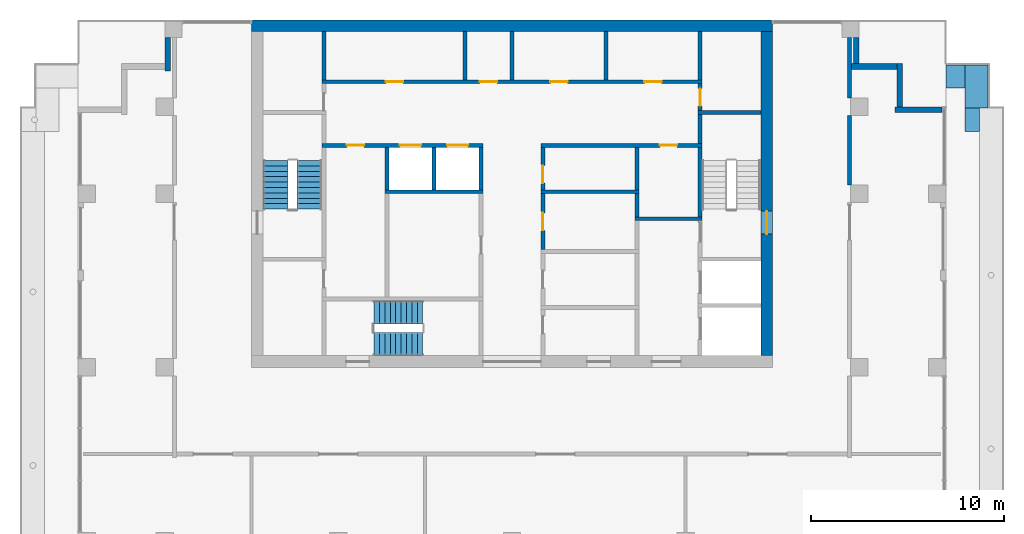
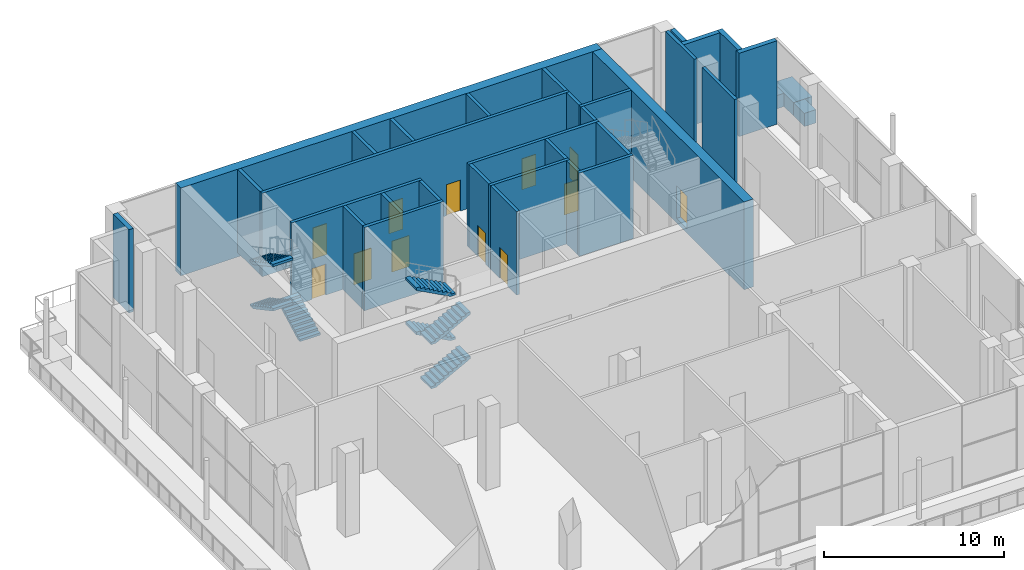
# One storey, part 9 of 13: 34 walls, 12 doors, 7 stair flights, 12 openings, 2 elements without a shape of their own.
"""IFC4 building model written with IfcOpenShell, lengths in metres."""

from ifc_helpers import new_model, si_unit, direction, frame, frame_2d, origin, place, context, subcontext, project, spatial, polyline, rectangle, outline, extrude, material, layer, layer_set, type_object, element, fill, aggregate, save


model = new_model("IFC4")

# Units and contexts
model_context = context("Model", 3, precision=1e-05, world=origin(), true_north=direction((0.0, 1.0)))
body_context = subcontext(model_context, "Body", "Model", "MODEL_VIEW")
ifc_project = project(units=[si_unit("LENGTHUNIT", "METRE"), si_unit("AREAUNIT", "SQUARE_METRE"), si_unit("VOLUMEUNIT", "CUBIC_METRE"), si_unit("PLANEANGLEUNIT", "RADIAN"), si_unit("MASSUNIT", "GRAM", prefix="KILO")], contexts=[model_context])

# Site, building, storey
site_placement = place(None, origin())
site = spatial("IfcSite", under=ifc_project, at=site_placement, CompositionType="ELEMENT")
building_placement = place(site_placement, origin())
building = spatial("IfcBuilding", under=site, at=building_placement, Name="Orbiselva Terraces", CompositionType="ELEMENT")
storey_placement = place(building_placement, frame((0.0, 0.0, 297.4)))
storey = spatial("IfcBuildingStorey", under=building, at=storey_placement, Name="L74", CompositionType="ELEMENT", Elevation=297.4)

# Wall, opening, door
ifc_material_1 = material(Name="Concrete C80/95", Category="concrete")
ifc_layer_1 = layer(ifc_material_1, 0.6)
ifc_layer_set_1 = layer_set([ifc_layer_1], Name="Concrete C80/95")
wall_type_1 = type_object("IfcWallType", Name="CORE WALL 600", PredefinedType="SHEAR", material=ifc_layer_set_1)
wall_1_placement = place(storey_placement, frame((13.2, 5.1, -0.3), z_axis=(0.0, 0.0, 1.0), x_axis=(0.0, 1.0, 0.0)))
wall_1 = element("IfcWall", 1, at=wall_1_placement, inside=storey, type_object=wall_type_1, Name="Core wall L74 east", PredefinedType="SHEAR", context=body_context, shape_type="SweptSolid", body=[
    extrude(rectangle(XDim=16.8, YDim=0.6, at=frame_2d((8.4, 0.0))), origin(), (0.0, 0.0, 1.0), 5.95),
])
opening_1_placement = place(wall_1_placement, frame((6.3, 0.0, 0.3)))
opening_1 = element("IfcOpeningElement", 2, at=opening_1_placement, cuts=wall_1, Name="Opening DS1200", PredefinedType="OPENING", context=body_context, shape_type="SweptSolid", body=[
    extrude(rectangle(XDim=1.2, YDim=2.2, at=frame_2d((0.6, 1.1))), frame((0.0, 0.31, 0.0), z_axis=(0.0, -1.0, 0.0), x_axis=(1.0, 0.0, 0.0)), (0.0, 0.0, 1.0), 0.62),
])
ifc_material_2 = material(Name="Steel fire door", Category="steel")
door_type_1 = type_object("IfcDoorType", Name="STAIR DOOR 1200", OperationType="NOTDEFINED", PredefinedType="DOOR", material=ifc_material_2)
door_1_placement = place(opening_1_placement, frame((1.2, 0.0, 0.0), z_axis=(0.0, 0.0, 1.0), x_axis=(-1.0, 0.0, 0.0)))
door_1 = element("IfcDoor", 3, at=door_1_placement, inside=storey, type_object=door_type_1, Name="L74 EXIT STAIR S2 door", OperationType="SINGLE_SWING_LEFT", OverallHeight=2.2, OverallWidth=1.2, PredefinedType="DOOR", context=body_context, shape_type="SweptSolid", body=[
    extrude(rectangle(XDim=1.2, YDim=2.2, at=frame_2d((0.6, 1.1))), frame((0.0, 0.025, 0.0), z_axis=(0.0, -1.0, 0.0), x_axis=(1.0, 0.0, 0.0)), (0.0, 0.0, 1.0), 0.05),
])
fill(opening_1, door_1)

# Walls
ifc_layer_2 = layer(ifc_material_1, 0.6)
ifc_layer_set_2 = layer_set([ifc_layer_2], Name="Concrete C80/95")
wall_type_2 = type_object("IfcWallType", Name="CORE WALL 600 EXTERNAL", PredefinedType="SHEAR", material=ifc_layer_set_2)
wall_2_placement = place(storey_placement, frame((13.5, 22.2, -0.3), z_axis=(0.0, 0.0, 1.0), x_axis=(-1.0, 0.0, 0.0)))
element("IfcWall", 4, at=wall_2_placement, inside=storey, type_object=wall_type_2, Name="Core wall L74 north", PredefinedType="SHEAR", context=body_context, shape_type="SweptSolid", body=[
    extrude(rectangle(XDim=27.0, YDim=0.6, at=frame_2d((13.5, 0.0))), origin(), (0.0, 0.0, 1.0), 5.95),
])
ifc_material_3 = material(Name="Masonry blockwork", Category="masonry")
ifc_layer_3 = layer(ifc_material_3, 0.2)
ifc_layer_set_3 = layer_set([ifc_layer_3], Name="Masonry blockwork")
wall_type_3 = type_object("IfcWallType", Name="CORE-WALL-PARTITION-200", PredefinedType="PARTITIONING", material=ifc_layer_set_3)
for number, where, z_axis, x_axis, name in (
    (5, (-9.75, 19.4, 0.0), (0.0, 0.0, 1.0), (0.0, 1.0, 0.0), "L74 core wall 11"),
    (6, (-2.4375, 19.4, 0.0), (0.0, 0.0, 1.0), (0.0, 1.0, 0.0), "L74 core wall 16"),
    (7, (0.0, 19.4, 0.0), (0.0, 0.0, 1.0), (0.0, 1.0, 0.0), "L74 core wall 20"),
):
    element("IfcWall", number, at=place(storey_placement, frame(where, z_axis=z_axis, x_axis=x_axis)), inside=storey, type_object=wall_type_3, Name=name, PredefinedType="PARTITIONING", context=body_context, shape_type="SweptSolid", body=[
        extrude(rectangle(XDim=2.5, YDim=0.2, at=frame_2d((1.25, 0.0))), origin(), (0.0, 0.0, 1.0), 5.65),
    ])

# Wall, opening, door
wall_3_placement = place(storey_placement, frame((1.6, 13.5, 0.0), z_axis=(0.0, 0.0, 1.0), x_axis=(0.0, -1.0, 0.0)))
wall_3 = element("IfcWall", 8, at=wall_3_placement, inside=storey, type_object=wall_type_3, Name="L74 core wall 25", PredefinedType="PARTITIONING", context=body_context, shape_type="SweptSolid", body=[
    extrude(rectangle(XDim=2.9, YDim=0.2, at=frame_2d((1.45, 0.0))), origin(), (0.0, 0.0, 1.0), 5.65),
])
opening_2_placement = place(wall_3_placement, frame((1.0, 0.0, 0.0)))
opening_2 = element("IfcOpeningElement", 9, at=opening_2_placement, cuts=wall_3, Name="Opening DR900", PredefinedType="OPENING", context=body_context, shape_type="SweptSolid", body=[
    extrude(rectangle(XDim=0.9, YDim=2.1, at=frame_2d((0.45, 1.05))), frame((0.0, 0.11, 0.0), z_axis=(0.0, -1.0, 0.0), x_axis=(1.0, 0.0, 0.0)), (0.0, 0.0, 1.0), 0.22),
])
door_type_2 = type_object("IfcDoorType", Name="ROOM DOOR 900", OperationType="NOTDEFINED", PredefinedType="DOOR", material=ifc_material_2)
door_2_placement = place(opening_2_placement, origin())
door_2 = element("IfcDoor", 10, at=door_2_placement, inside=storey, type_object=door_type_2, Name="L74 STAFF WC door", OperationType="SINGLE_SWING_LEFT", OverallHeight=2.1, OverallWidth=0.9, PredefinedType="DOOR", context=body_context, shape_type="SweptSolid", body=[
    extrude(rectangle(XDim=0.9, YDim=2.1, at=frame_2d((0.45, 1.05))), frame((0.0, 0.025, 0.0), z_axis=(0.0, -1.0, 0.0), x_axis=(1.0, 0.0, 0.0)), (0.0, 0.0, 1.0), 0.05),
])
fill(opening_2, door_2)

wall_4_placement = place(storey_placement, frame((1.6, 15.9, 0.0), z_axis=(0.0, 0.0, 1.0), x_axis=(0.0, -1.0, 0.0)))
wall_4 = element("IfcWall", 11, at=wall_4_placement, inside=storey, type_object=wall_type_3, Name="L74 core wall 27", PredefinedType="PARTITIONING", context=body_context, shape_type="SweptSolid", body=[
    extrude(rectangle(XDim=2.2, YDim=0.2, at=frame_2d((1.1, 0.0))), origin(), (0.0, 0.0, 1.0), 5.65),
])
opening_3_placement = place(wall_4_placement, frame((0.95, 0.0, 0.0)))
opening_3 = element("IfcOpeningElement", 12, at=opening_3_placement, cuts=wall_4, Name="Opening DR900", PredefinedType="OPENING", context=body_context, shape_type="SweptSolid", body=[
    extrude(rectangle(XDim=0.9, YDim=2.1, at=frame_2d((0.45, 1.05))), frame((0.0, 0.11, 0.0), z_axis=(0.0, -1.0, 0.0), x_axis=(1.0, 0.0, 0.0)), (0.0, 0.0, 1.0), 0.22),
])
door_3_placement = place(opening_3_placement, origin())
door_3 = element("IfcDoor", 13, at=door_3_placement, inside=storey, type_object=door_type_2, Name="L74 DECK STORE door", OperationType="SINGLE_SWING_RIGHT", OverallHeight=2.1, OverallWidth=0.9, PredefinedType="DOOR", context=body_context, shape_type="SweptSolid", body=[
    extrude(rectangle(XDim=0.9, YDim=2.1, at=frame_2d((0.45, 1.05))), frame((0.0, 0.025, 0.0), z_axis=(0.0, -1.0, 0.0), x_axis=(1.0, 0.0, 0.0)), (0.0, 0.0, 1.0), 0.05),
])
fill(opening_3, door_3)

# Walls
wall_5_placement = place(storey_placement, frame((4.875, 19.4, 0.0), z_axis=(0.0, 0.0, 1.0), x_axis=(0.0, 1.0, 0.0)))
element("IfcWall", 14, at=wall_5_placement, inside=storey, type_object=wall_type_3, Name="L74 core wall 29", PredefinedType="PARTITIONING", context=body_context, shape_type="SweptSolid", body=[
    extrude(rectangle(XDim=2.5, YDim=0.2, at=frame_2d((1.25, 0.0))), origin(), (0.0, 0.0, 1.0), 5.65),
])
wall_6_placement = place(storey_placement, frame((6.475, 12.3, 0.0), z_axis=(0.0, 0.0, 1.0), x_axis=(0.0, 1.0, 0.0)))
element("IfcWall", 15, at=wall_6_placement, inside=storey, type_object=wall_type_3, Name="L74 core wall 34", PredefinedType="PARTITIONING", context=body_context, shape_type="SweptSolid", body=[
    extrude(rectangle(XDim=1.2, YDim=0.2, at=frame_2d((0.6, 0.0))), origin(), (0.0, 0.0, 1.0), 5.65),
])
wall_7_placement = place(storey_placement, frame((6.475, 13.7, 0.0), z_axis=(0.0, 0.0, 1.0), x_axis=(0.0, 1.0, 0.0)))
element("IfcWall", 16, at=wall_7_placement, inside=storey, type_object=wall_type_3, Name="L74 core wall 35", PredefinedType="PARTITIONING", context=body_context, shape_type="SweptSolid", body=[
    extrude(rectangle(XDim=2.2, YDim=0.2, at=frame_2d((1.1, 0.0))), origin(), (0.0, 0.0, 1.0), 5.65),
])

# Wall, opening, door
wall_8_placement = place(storey_placement, frame((9.75, 19.2, 0.0), z_axis=(0.0, 0.0, 1.0), x_axis=(0.0, -1.0, 0.0)))
wall_8 = element("IfcWall", 17, at=wall_8_placement, inside=storey, type_object=wall_type_3, Name="L74 core wall 44", PredefinedType="PARTITIONING", context=body_context, shape_type="SweptSolid", body=[
    extrude(rectangle(XDim=1.4, YDim=0.2, at=frame_2d((0.7, 0.0))), origin(), (0.0, 0.0, 1.0), 5.65),
])
opening_4_placement = place(wall_8_placement, frame((0.25, 0.0, 0.0)))
opening_4 = element("IfcOpeningElement", 18, at=opening_4_placement, cuts=wall_8, Name="Opening DR900", PredefinedType="OPENING", context=body_context, shape_type="SweptSolid", body=[
    extrude(rectangle(XDim=0.9, YDim=2.1, at=frame_2d((0.45, 1.05))), frame((0.0, 0.11, 0.0), z_axis=(0.0, -1.0, 0.0), x_axis=(1.0, 0.0, 0.0)), (0.0, 0.0, 1.0), 0.22),
])
door_4_placement = place(opening_4_placement, origin())
door_4 = element("IfcDoor", 19, at=door_4_placement, inside=storey, type_object=door_type_2, Name="L74 ACCESSIBLE WC door", OperationType="SINGLE_SWING_RIGHT", OverallHeight=2.1, OverallWidth=0.9, PredefinedType="DOOR", context=body_context, shape_type="SweptSolid", body=[
    extrude(rectangle(XDim=0.9, YDim=2.1, at=frame_2d((0.45, 1.05))), frame((0.0, 0.025, 0.0), z_axis=(0.0, -1.0, 0.0), x_axis=(1.0, 0.0, 0.0)), (0.0, 0.0, 1.0), 0.05),
])
fill(opening_4, door_4)

# Walls
wall_9_placement = place(storey_placement, frame((9.75, 19.4, 0.0), z_axis=(0.0, 0.0, 1.0), x_axis=(0.0, 1.0, 0.0)))
element("IfcWall", 20, at=wall_9_placement, inside=storey, type_object=wall_type_3, Name="L74 core wall 45", PredefinedType="PARTITIONING", context=body_context, shape_type="SweptSolid", body=[
    extrude(rectangle(XDim=2.5, YDim=0.2, at=frame_2d((1.25, 0.0))), origin(), (0.0, 0.0, 1.0), 5.65),
])
ifc_material_4 = material(Name="Concrete C40/50", Category="concrete")
ifc_layer_4 = layer(ifc_material_4, 0.2)
ifc_layer_set_4 = layer_set([ifc_layer_4], Name="Concrete C40/50")
wall_type_4 = type_object("IfcWallType", Name="CORE-WALL-SHAFT-200", PredefinedType="PARTITIONING", material=ifc_layer_set_4)
for number, where, z_axis, x_axis, name in (
    (21, (-6.475, 13.7, 0.0), (0.0, 0.0, 1.0), (0.0, 1.0, 0.0), "L74 core wall 14"),
    (22, (-4.0375, 13.7, 0.0), (0.0, 0.0, 1.0), (0.0, 1.0, 0.0), "L74 core wall 15"),
    (23, (-1.6, 13.7, 0.0), (0.0, 0.0, 1.0), (0.0, 1.0, 0.0), "L74 core wall 19"),
):
    element("IfcWall", number, at=place(storey_placement, frame(where, z_axis=z_axis, x_axis=x_axis)), inside=storey, type_object=wall_type_4, Name=name, PredefinedType="PARTITIONING", context=body_context, shape_type="SweptSolid", body=[
        extrude(rectangle(XDim=2.2, YDim=0.2, at=frame_2d((1.1, 0.0))), origin(), (0.0, 0.0, 1.0), 5.65),
    ])

# Wall, openings, doors
ifc_material_5 = material(Name="Concrete C60/75", Category="concrete")
ifc_layer_5 = layer(ifc_material_5, 0.2)
ifc_layer_set_5 = layer_set([ifc_layer_5], Name="Concrete C60/75")
wall_type_5 = type_object("IfcWallType", Name="CORE-WALL-SHEAR-200", PredefinedType="SHEAR", material=ifc_layer_set_5)
wall_10_placement = place(storey_placement, frame((-1.5, 16.0, 0.0), z_axis=(0.0, 0.0, 1.0), x_axis=(-1.0, 0.0, 0.0)))
wall_10 = element("IfcWall", 24, at=wall_10_placement, inside=storey, type_object=wall_type_5, Name="L74 core wall 07", PredefinedType="SHEAR", context=body_context, shape_type="SweptSolid", body=[
    extrude(rectangle(XDim=8.35, YDim=0.2, at=frame_2d((4.175, 0.0))), origin(), (0.0, 0.0, 1.0), 5.65),
])
opening_5_placement = place(wall_10_placement, frame((3.20625, 0.0, 0.0)))
opening_5 = element("IfcOpeningElement", 25, at=opening_5_placement, cuts=wall_10, Name="Opening LD-OBS1", PredefinedType="OPENING", context=body_context, shape_type="SweptSolid", body=[
    extrude(rectangle(XDim=1.1, YDim=2.1, at=frame_2d((0.55, 1.05))), frame((0.0, 0.11, 0.0), z_axis=(0.0, -1.0, 0.0), x_axis=(1.0, 0.0, 0.0)), (0.0, 0.0, 1.0), 0.22),
])
opening_6_placement = place(wall_10_placement, frame((0.76875, 0.0, 0.0)))
opening_6 = element("IfcOpeningElement", 26, at=opening_6_placement, cuts=wall_10, Name="Opening LD-OBS2", PredefinedType="OPENING", context=body_context, shape_type="SweptSolid", body=[
    extrude(rectangle(XDim=1.1, YDim=2.1, at=frame_2d((0.55, 1.05))), frame((0.0, 0.11, 0.0), z_axis=(0.0, -1.0, 0.0), x_axis=(1.0, 0.0, 0.0)), (0.0, 0.0, 1.0), 0.22),
])
opening_7_placement = place(wall_10_placement, frame((6.1625, 0.0, 0.0)))
opening_7 = element("IfcOpeningElement", 27, at=opening_7_placement, cuts=wall_10, Name="Opening DR900", PredefinedType="OPENING", context=body_context, shape_type="SweptSolid", body=[
    extrude(rectangle(XDim=0.9, YDim=2.1, at=frame_2d((0.45, 1.05))), frame((0.0, 0.11, 0.0), z_axis=(0.0, -1.0, 0.0), x_axis=(1.0, 0.0, 0.0)), (0.0, 0.0, 1.0), 0.22),
])
ifc_material_6 = material(Name="Stainless steel landing door", Category="steel")
door_type_3 = type_object("IfcDoorType", Name="LANDING DOOR 1100", OperationType="SLIDING_TO_LEFT", PredefinedType="DOOR", material=ifc_material_6)
door_5_placement = place(opening_5_placement, origin())
door_5 = element("IfcDoor", 28, at=door_5_placement, inside=storey, type_object=door_type_3, Name="L74 landing door OBS1", OperationType="SLIDING_TO_LEFT", OverallHeight=2.1, OverallWidth=1.1, PredefinedType="DOOR", context=body_context, shape_type="SweptSolid", body=[
    extrude(rectangle(XDim=1.1, YDim=2.1, at=frame_2d((0.55, 1.05))), frame((0.0, 0.025, 0.0), z_axis=(0.0, -1.0, 0.0), x_axis=(1.0, 0.0, 0.0)), (0.0, 0.0, 1.0), 0.05),
])
fill(opening_5, door_5)
door_6_placement = place(opening_6_placement, origin())
door_6 = element("IfcDoor", 29, at=door_6_placement, inside=storey, type_object=door_type_3, Name="L74 landing door OBS2", OperationType="SLIDING_TO_LEFT", OverallHeight=2.1, OverallWidth=1.1, PredefinedType="DOOR", context=body_context, shape_type="SweptSolid", body=[
    extrude(rectangle(XDim=1.1, YDim=2.1, at=frame_2d((0.55, 1.05))), frame((0.0, 0.025, 0.0), z_axis=(0.0, -1.0, 0.0), x_axis=(1.0, 0.0, 0.0)), (0.0, 0.0, 1.0), 0.05),
])
fill(opening_6, door_6)
door_7_placement = place(opening_7_placement, origin())
door_7 = element("IfcDoor", 30, at=door_7_placement, inside=storey, type_object=door_type_2, Name="L74 DECK PANTRY door", OperationType="SINGLE_SWING_RIGHT", OverallHeight=2.1, OverallWidth=0.9, PredefinedType="DOOR", context=body_context, shape_type="SweptSolid", body=[
    extrude(rectangle(XDim=0.9, YDim=2.1, at=frame_2d((0.45, 1.05))), frame((0.0, 0.025, 0.0), z_axis=(0.0, -1.0, 0.0), x_axis=(1.0, 0.0, 0.0)), (0.0, 0.0, 1.0), 0.05),
])
fill(opening_7, door_7)

wall_11_placement = place(storey_placement, frame((-9.85, 19.3, 0.0), z_axis=(0.0, 0.0, 1.0), x_axis=(1.0, 0.0, 0.0)))
wall_11 = element("IfcWall", 31, at=wall_11_placement, inside=storey, type_object=wall_type_5, Name="L74 core wall 10", PredefinedType="SHEAR", context=body_context, shape_type="SweptSolid", body=[
    extrude(rectangle(XDim=19.7, YDim=0.2, at=frame_2d((9.85, 0.0))), origin(), (0.0, 0.0, 1.0), 5.65),
])
opening_8_placement = place(wall_11_placement, frame((11.8375, 0.0, 0.0)))
opening_8 = element("IfcOpeningElement", 32, at=opening_8_placement, cuts=wall_11, Name="Opening DR900", PredefinedType="OPENING", context=body_context, shape_type="SweptSolid", body=[
    extrude(rectangle(XDim=0.9, YDim=2.1, at=frame_2d((0.45, 1.05))), frame((0.0, 0.11, 0.0), z_axis=(0.0, -1.0, 0.0), x_axis=(1.0, 0.0, 0.0)), (0.0, 0.0, 1.0), 0.22),
])
opening_9_placement = place(wall_11_placement, frame((16.7125, 0.0, 0.0)))
opening_9 = element("IfcOpeningElement", 33, at=opening_9_placement, cuts=wall_11, Name="Opening DR900", PredefinedType="OPENING", context=body_context, shape_type="SweptSolid", body=[
    extrude(rectangle(XDim=0.9, YDim=2.1, at=frame_2d((0.45, 1.05))), frame((0.0, 0.11, 0.0), z_axis=(0.0, -1.0, 0.0), x_axis=(1.0, 0.0, 0.0)), (0.0, 0.0, 1.0), 0.22),
])
opening_10_placement = place(wall_11_placement, frame((3.3062, 0.0, 0.0)))
opening_10 = element("IfcOpeningElement", 34, at=opening_10_placement, cuts=wall_11, Name="Opening DR900", PredefinedType="OPENING", context=body_context, shape_type="SweptSolid", body=[
    extrude(rectangle(XDim=0.9, YDim=2.1, at=frame_2d((0.45, 1.05))), frame((0.0, 0.11, 0.0), z_axis=(0.0, -1.0, 0.0), x_axis=(1.0, 0.0, 0.0)), (0.0, 0.0, 1.0), 0.22),
])
opening_11_placement = place(wall_11_placement, frame((8.1812, 0.0, 0.0)))
opening_11 = element("IfcOpeningElement", 35, at=opening_11_placement, cuts=wall_11, Name="Opening DR900", PredefinedType="OPENING", context=body_context, shape_type="SweptSolid", body=[
    extrude(rectangle(XDim=0.9, YDim=2.1, at=frame_2d((0.45, 1.05))), frame((0.0, 0.11, 0.0), z_axis=(0.0, -1.0, 0.0), x_axis=(1.0, 0.0, 0.0)), (0.0, 0.0, 1.0), 0.22),
])
door_8_placement = place(opening_8_placement, origin())
door_8 = element("IfcDoor", 36, at=door_8_placement, inside=storey, type_object=door_type_2, Name="L74 DECK SERVICE ROOM door", OperationType="SINGLE_SWING_RIGHT", OverallHeight=2.1, OverallWidth=0.9, PredefinedType="DOOR", context=body_context, shape_type="SweptSolid", body=[
    extrude(rectangle(XDim=0.9, YDim=2.1, at=frame_2d((0.45, 1.05))), frame((0.0, 0.025, 0.0), z_axis=(0.0, -1.0, 0.0), x_axis=(1.0, 0.0, 0.0)), (0.0, 0.0, 1.0), 0.05),
])
fill(opening_8, door_8)
door_9_placement = place(opening_9_placement, origin())
door_9 = element("IfcDoor", 37, at=door_9_placement, inside=storey, type_object=door_type_2, Name="L74 VISITOR WC door", OperationType="SINGLE_SWING_RIGHT", OverallHeight=2.1, OverallWidth=0.9, PredefinedType="DOOR", context=body_context, shape_type="SweptSolid", body=[
    extrude(rectangle(XDim=0.9, YDim=2.1, at=frame_2d((0.45, 1.05))), frame((0.0, 0.025, 0.0), z_axis=(0.0, -1.0, 0.0), x_axis=(1.0, 0.0, 0.0)), (0.0, 0.0, 1.0), 0.05),
])
fill(opening_9, door_9)
door_10_placement = place(opening_10_placement, origin())
door_10 = element("IfcDoor", 38, at=door_10_placement, inside=storey, type_object=door_type_2, Name="L74 HOUSEKEEPING door", OperationType="SINGLE_SWING_LEFT", OverallHeight=2.1, OverallWidth=0.9, PredefinedType="DOOR", context=body_context, shape_type="SweptSolid", body=[
    extrude(rectangle(XDim=0.9, YDim=2.1, at=frame_2d((0.45, 1.05))), frame((0.0, 0.025, 0.0), z_axis=(0.0, -1.0, 0.0), x_axis=(1.0, 0.0, 0.0)), (0.0, 0.0, 1.0), 0.05),
])
fill(opening_10, door_10)
door_11_placement = place(opening_11_placement, origin())
door_11 = element("IfcDoor", 39, at=door_11_placement, inside=storey, type_object=door_type_2, Name="L74 WC door", OperationType="SINGLE_SWING_LEFT", OverallHeight=2.1, OverallWidth=0.9, PredefinedType="DOOR", context=body_context, shape_type="SweptSolid", body=[
    extrude(rectangle(XDim=0.9, YDim=2.1, at=frame_2d((0.45, 1.05))), frame((0.0, 0.025, 0.0), z_axis=(0.0, -1.0, 0.0), x_axis=(1.0, 0.0, 0.0)), (0.0, 0.0, 1.0), 0.05),
])
fill(opening_11, door_11)

# Walls
for number, where, z_axis, x_axis, name in (
    (40, (-6.575, 13.6, 0.0), (0.0, 0.0, 1.0), (1.0, 0.0, 0.0), "L74 core wall 13"),
    (41, (1.5, 13.6, 0.0), (0.0, 0.0, 1.0), (1.0, 0.0, 0.0), "L74 core wall 26"),
):
    element("IfcWall", number, at=place(storey_placement, frame(where, z_axis=z_axis, x_axis=x_axis)), inside=storey, type_object=wall_type_5, Name=name, PredefinedType="SHEAR", context=body_context, shape_type="SweptSolid", body=[
        extrude(rectangle(XDim=5.075, YDim=0.2, at=frame_2d((2.5375, 0.0))), origin(), (0.0, 0.0, 1.0), 5.65),
    ])

# Wall, opening, door
wall_12_placement = place(storey_placement, frame((9.85, 16.0, 0.0), z_axis=(0.0, 0.0, 1.0), x_axis=(-1.0, 0.0, 0.0)))
wall_12 = element("IfcWall", 42, at=wall_12_placement, inside=storey, type_object=wall_type_5, Name="L74 core wall 28", PredefinedType="SHEAR", context=body_context, shape_type="SweptSolid", body=[
    extrude(rectangle(XDim=8.35, YDim=0.2, at=frame_2d((4.175, 0.0))), origin(), (0.0, 0.0, 1.0), 5.65),
])
opening_12_placement = place(wall_12_placement, frame((1.2875, 0.0, 0.0)))
opening_12 = element("IfcOpeningElement", 43, at=opening_12_placement, cuts=wall_12, Name="Opening DR900", PredefinedType="OPENING", context=body_context, shape_type="SweptSolid", body=[
    extrude(rectangle(XDim=0.9, YDim=2.1, at=frame_2d((0.45, 1.05))), frame((0.0, 0.11, 0.0), z_axis=(0.0, -1.0, 0.0), x_axis=(1.0, 0.0, 0.0)), (0.0, 0.0, 1.0), 0.22),
])
door_12_placement = place(opening_12_placement, origin())
door_12 = element("IfcDoor", 44, at=door_12_placement, inside=storey, type_object=door_type_2, Name="L74 ELECTRICAL ROOM door", OperationType="SINGLE_SWING_LEFT", OverallHeight=2.1, OverallWidth=0.9, PredefinedType="DOOR", context=body_context, shape_type="SweptSolid", body=[
    extrude(rectangle(XDim=0.9, YDim=2.1, at=frame_2d((0.45, 1.05))), frame((0.0, 0.025, 0.0), z_axis=(0.0, -1.0, 0.0), x_axis=(1.0, 0.0, 0.0)), (0.0, 0.0, 1.0), 0.05),
])
fill(opening_12, door_12)

# Walls
wall_13_placement = place(storey_placement, frame((6.375, 12.2, 0.0), z_axis=(0.0, 0.0, 1.0), x_axis=(1.0, 0.0, 0.0)))
element("IfcWall", 45, at=wall_13_placement, inside=storey, type_object=wall_type_5, Name="L74 core wall 33", PredefinedType="SHEAR", context=body_context, shape_type="SweptSolid", body=[
    extrude(rectangle(XDim=3.475, YDim=0.2, at=frame_2d((1.7375, 0.0))), origin(), (0.0, 0.0, 1.0), 5.65),
])
wall_14_placement = place(storey_placement, frame((9.75, 12.3, 0.0), z_axis=(0.0, 0.0, 1.0), x_axis=(0.0, 1.0, 0.0)))
element("IfcWall", 46, at=wall_14_placement, inside=storey, type_object=wall_type_5, Name="L74 core wall 41", PredefinedType="SHEAR", context=body_context, shape_type="SweptSolid", body=[
    extrude(rectangle(XDim=3.6, YDim=0.2, at=frame_2d((1.8, 0.0))), origin(), (0.0, 0.0, 1.0), 5.65),
])
wall_15_placement = place(storey_placement, frame((9.75, 16.1, 0.0), z_axis=(0.0, 0.0, 1.0), x_axis=(0.0, 1.0, 0.0)))
element("IfcWall", 47, at=wall_15_placement, inside=storey, type_object=wall_type_5, Name="L74 core wall 42", PredefinedType="SHEAR", context=body_context, shape_type="SweptSolid", body=[
    extrude(rectangle(XDim=1.5, YDim=0.2, at=frame_2d((0.75, 0.0))), origin(), (0.0, 0.0, 1.0), 5.65),
])
wall_16_placement = place(storey_placement, frame((9.65, 17.7, 0.0), z_axis=(0.0, 0.0, 1.0), x_axis=(1.0, 0.0, 0.0)))
element("IfcWall", 48, at=wall_16_placement, inside=storey, type_object=wall_type_5, Name="L74 core wall 43", PredefinedType="SHEAR", context=body_context, shape_type="SweptSolid", body=[
    extrude(rectangle(XDim=3.25, YDim=0.2, at=frame_2d((1.625, 0.0))), origin(), (0.0, 0.0, 1.0), 5.65),
])
ifc_layer_6 = layer(ifc_material_4, 1.2)
ifc_layer_set_6 = layer_set([ifc_layer_6], Name="Concrete C40/50")
wall_type_6 = type_object("IfcWallType", Name="ENV-GARDEN-BED-1200x900", PredefinedType="USERDEFINED", material=ifc_layer_set_6)
wall_17_placement = place(storey_placement, frame((24.23, 17.33, 0.0), z_axis=(0.0, 0.0, 1.0), x_axis=(-1.0, 0.0, 0.0)))
element("IfcWall", 49, at=wall_17_placement, inside=storey, type_object=wall_type_6, Name="Planter bed L74 ring", ObjectType="PLANTER", PredefinedType="USERDEFINED", context=body_context, shape_type="SweptSolid", body=[
    extrude(rectangle(XDim=0.75, YDim=1.2, at=frame_2d((0.375, 0.0))), origin(), (0.0, 0.0, 1.0), 0.9),
])
wall_18_placement = place(storey_placement, frame((24.08, 17.93, 0.0), z_axis=(0.0, 0.0, 1.0), x_axis=(0.0, 1.0, 0.0)))
element("IfcWall", 50, at=wall_18_placement, inside=storey, type_object=wall_type_6, Name="Planter bed L74 ring", ObjectType="PLANTER", PredefinedType="USERDEFINED", context=body_context, shape_type="SweptSolid", body=[
    extrude(rectangle(XDim=2.25, YDim=1.2, at=frame_2d((1.125, 0.0))), origin(), (0.0, 0.0, 1.0), 0.9),
])
wall_19_placement = place(storey_placement, frame((23.48, 19.58, 0.0), z_axis=(0.0, 0.0, 1.0), x_axis=(-1.0, 0.0, 0.0)))
element("IfcWall", 51, at=wall_19_placement, inside=storey, type_object=wall_type_6, Name="Planter bed L74 ring", ObjectType="PLANTER", PredefinedType="USERDEFINED", context=body_context, shape_type="SweptSolid", body=[
    extrude(rectangle(XDim=0.98, YDim=1.2, at=frame_2d((0.49, 0.0))), origin(), (0.0, 0.0, 1.0), 0.9),
])
ifc_material_7 = material(Name="Terracotta cladding on masonry backing", Category="masonry")
ifc_layer_7 = layer(ifc_material_7, 0.3)
ifc_layer_set_7 = layer_set([ifc_layer_7], Name="Terracotta cladding on masonry backing")
wall_type_7 = type_object("IfcWallType", Name="ENV-WALL-TERRACOTTA-300", PredefinedType="SOLIDWALL", material=ifc_layer_set_7)
wall_20_placement = place(storey_placement, frame((19.85, 17.85, 0.0), z_axis=(0.0, 0.0, 1.0), x_axis=(1.0, 0.0, 0.0)))
element("IfcWall", 52, at=wall_20_placement, inside=storey, type_object=wall_type_7, Name="Facade wall L74 STEP", PredefinedType="SOLIDWALL", context=body_context, shape_type="SweptSolid", body=[
    extrude(rectangle(XDim=2.45, YDim=0.3, at=frame_2d((1.225, 0.0))), origin(), (0.0, 0.0, 1.0), 5.65),
])
wall_21_placement = place(storey_placement, frame((20.1, 20.25, 0.0), z_axis=(0.0, 0.0, 1.0), x_axis=(0.0, -1.0, 0.0)))
element("IfcWall", 53, at=wall_21_placement, inside=storey, type_object=wall_type_7, Name="Facade wall L74 STEP", PredefinedType="SOLIDWALL", context=body_context, shape_type="SweptSolid", body=[
    extrude(rectangle(XDim=2.25, YDim=0.3, at=frame_2d((1.125, 0.0))), origin(), (0.0, 0.0, 1.0), 5.65),
])
wall_22_placement = place(storey_placement, frame((17.6, 20.1, 0.0), z_axis=(0.0, 0.0, 1.0), x_axis=(1.0, 0.0, 0.0)))
element("IfcWall", 54, at=wall_22_placement, inside=storey, type_object=wall_type_7, Name="Facade wall L74 STEP", PredefinedType="SOLIDWALL", context=body_context, shape_type="SweptSolid", body=[
    extrude(rectangle(XDim=2.35, YDim=0.3, at=frame_2d((1.175, 0.0))), origin(), (0.0, 0.0, 1.0), 5.65),
])
wall_23_placement = place(storey_placement, frame((17.85, 21.6, 0.0), z_axis=(0.0, 0.0, 1.0), x_axis=(0.0, -1.0, 0.0)))
element("IfcWall", 55, at=wall_23_placement, inside=storey, type_object=wall_type_7, Name="Facade wall L74 STEP", PredefinedType="SOLIDWALL", context=body_context, shape_type="SweptSolid", body=[
    extrude(rectangle(XDim=1.35, YDim=0.3, at=frame_2d((0.675, 0.0))), origin(), (0.0, 0.0, 1.0), 5.65),
])
wall_24_placement = place(storey_placement, frame((-17.85, 19.85, 0.0), z_axis=(0.0, 0.0, 1.0), x_axis=(0.0, 1.0, 0.0)))
element("IfcWall", 56, at=wall_24_placement, inside=storey, type_object=wall_type_7, Name="Facade wall L74 STEP", PredefinedType="SOLIDWALL", context=body_context, shape_type="SweptSolid", body=[
    extrude(rectangle(XDim=1.75, YDim=0.3, at=frame_2d((0.875, 0.0))), origin(), (0.0, 0.0, 1.0), 5.65),
])
ifc_material_8 = material(Name="Plasterboard on steel stud partition", Category="steel")
ifc_layer_8 = layer(ifc_material_8, 0.2)
ifc_layer_set_8 = layer_set([ifc_layer_8], Name="Plasterboard on steel stud partition")
wall_type_8 = type_object("IfcWallType", Name="UNIT-ENTRANCE-WALL-200", PredefinedType="PARTITIONING", material=ifc_layer_set_8)
wall_25_placement = place(storey_placement, frame((17.5, 13.95, 0.0), z_axis=(0.0, 0.0, 1.0), x_axis=(0.0, 1.0, 0.0)))
element("IfcWall", 57, at=wall_25_placement, inside=storey, type_object=wall_type_8, Name="PARTITION L74-024", PredefinedType="PARTITIONING", context=body_context, shape_type="SweptSolid", body=[
    extrude(rectangle(XDim=3.6, YDim=0.2, at=frame_2d((1.8, 0.0))), origin(), (0.0, 0.0, 1.0), 5.65),
])
wall_26_placement = place(storey_placement, frame((17.5, 18.45, 0.0), z_axis=(0.0, 0.0, 1.0), x_axis=(0.0, 1.0, 0.0)))
element("IfcWall", 58, at=wall_26_placement, inside=storey, type_object=wall_type_8, Name="PARTITION L74-025", PredefinedType="PARTITIONING", context=body_context, shape_type="SweptSolid", body=[
    extrude(rectangle(XDim=3.15, YDim=0.2, at=frame_2d((1.575, 0.0))), origin(), (0.0, 0.0, 1.0), 5.65),
])

# Stair, stair flights
stair_type_1 = type_object("IfcStairType", Name="CORE-STAIR-1200", PredefinedType="HALF_TURN_STAIR", material=ifc_material_4)
stair_1_placement = place(storey_placement, origin())
stair_1 = element("IfcStair", 59, at=stair_1_placement, inside=storey, type_object=stair_type_1, Name="L74 Exit Stair S3", PredefinedType="HALF_TURN_STAIR")
stair_flight_type_1 = type_object("IfcStairFlightType", Name="CORE-STAIR-FLIGHT-1200", PredefinedType="STRAIGHT", material=ifc_material_4)
stair_flight_1_placement = place(storey_placement, frame((-7.15, 5.7, 0.0), z_axis=(0.0, 0.0, 1.0), x_axis=(1.0, 0.0, 0.0)))
stair_flight_1 = element("IfcStairFlight", 60, at=stair_flight_1_placement, type_object=stair_flight_type_1, Name="S3 flight 1", NumberOfRisers=10, NumberOfTreads=9, PredefinedType="STRAIGHT", RiserHeight=0.15, TreadLength=0.28, context=body_context, shape_type="SweptSolid", body=[
    extrude(outline(polyline([(0.0, 0.0), (0.0, 0.15), (0.28, 0.15), (0.28, 0.3), (0.56, 0.3), (0.56, 0.45), (0.84, 0.45), (0.84, 0.6), (1.12, 0.6), (1.12, 0.75), (1.4, 0.75), (1.4, 0.9), (1.68, 0.9), (1.68, 1.05), (1.96, 1.05), (1.96, 1.2), (2.24, 1.2), (2.24, 1.35), (2.52, 1.35), (2.52, 1.5), (2.52, 1.179832), (0.317648, 0.0), (0.0, 0.0)])), frame((0.0, 0.6, 0.0), z_axis=(0.0, -1.0, 0.0), x_axis=(1.0, 0.0, 0.0)), (0.0, 0.0, 1.0), 1.2),
])
stair_flight_2_placement = place(storey_placement, frame((-4.63, 7.35, 1.5), z_axis=(0.0, 0.0, 1.0), x_axis=(-1.0, 0.0, 0.0)))
stair_flight_2 = element("IfcStairFlight", 61, at=stair_flight_2_placement, type_object=stair_flight_type_1, Name="S3 flight 2", NumberOfRisers=10, NumberOfTreads=9, PredefinedType="STRAIGHT", RiserHeight=0.15, TreadLength=0.28, context=body_context, shape_type="SweptSolid", body=[
    extrude(outline(polyline([(0.0, 0.0), (0.0, 0.15), (0.28, 0.15), (0.28, 0.3), (0.56, 0.3), (0.56, 0.45), (0.84, 0.45), (0.84, 0.6), (1.12, 0.6), (1.12, 0.75), (1.4, 0.75), (1.4, 0.9), (1.68, 0.9), (1.68, 1.05), (1.96, 1.05), (1.96, 1.2), (2.24, 1.2), (2.24, 1.35), (2.52, 1.35), (2.52, 1.5), (2.52, 1.179832), (0.317648, 0.0), (0.0, 0.0)])), frame((0.0, 0.6, 0.0), z_axis=(0.0, -1.0, 0.0), x_axis=(1.0, 0.0, 0.0)), (0.0, 0.0, 1.0), 1.2),
])
stair_flight_3_placement = place(storey_placement, frame((-7.15, 5.7, 3.0), z_axis=(0.0, 0.0, 1.0), x_axis=(1.0, 0.0, 0.0)))
stair_flight_3 = element("IfcStairFlight", 62, at=stair_flight_3_placement, type_object=stair_flight_type_1, Name="S3 flight 3", NumberOfRisers=10, NumberOfTreads=9, PredefinedType="STRAIGHT", RiserHeight=0.15, TreadLength=0.28, context=body_context, shape_type="SweptSolid", body=[
    extrude(outline(polyline([(0.0, 0.0), (0.0, 0.15), (0.28, 0.15), (0.28, 0.3), (0.56, 0.3), (0.56, 0.45), (0.84, 0.45), (0.84, 0.6), (1.12, 0.6), (1.12, 0.75), (1.4, 0.75), (1.4, 0.9), (1.68, 0.9), (1.68, 1.05), (1.96, 1.05), (1.96, 1.2), (2.24, 1.2), (2.24, 1.35), (2.52, 1.35), (2.52, 1.5), (2.52, 1.179832), (0.317648, 0.0), (0.0, 0.0)])), frame((0.0, 0.6, 0.0), z_axis=(0.0, -1.0, 0.0), x_axis=(1.0, 0.0, 0.0)), (0.0, 0.0, 1.0), 1.2),
])
stair_flight_4_placement = place(storey_placement, frame((-4.63, 7.35, 4.5), z_axis=(0.0, 0.0, 1.0), x_axis=(-1.0, 0.0, 0.0)))
stair_flight_4 = element("IfcStairFlight", 63, at=stair_flight_4_placement, type_object=stair_flight_type_1, Name="S3 flight 4", NumberOfRisers=10, NumberOfTreads=9, PredefinedType="STRAIGHT", RiserHeight=0.15, TreadLength=0.28, context=body_context, shape_type="SweptSolid", body=[
    extrude(outline(polyline([(0.0, 0.0), (0.0, 0.15), (0.28, 0.15), (0.28, 0.3), (0.56, 0.3), (0.56, 0.45), (0.84, 0.45), (0.84, 0.6), (1.12, 0.6), (1.12, 0.75), (1.4, 0.75), (1.4, 0.9), (1.68, 0.9), (1.68, 1.05), (1.96, 1.05), (1.96, 1.2), (2.24, 1.2), (2.24, 1.35), (2.52, 1.35), (2.52, 1.5), (2.52, 1.179832), (0.317648, 0.0), (0.0, 0.0)])), frame((0.0, 0.6, 0.0), z_axis=(0.0, -1.0, 0.0), x_axis=(1.0, 0.0, 0.0)), (0.0, 0.0, 1.0), 1.2),
])
aggregate(stair_1, [stair_flight_1, stair_flight_2, stair_flight_3, stair_flight_4])

stair_type_2 = type_object("IfcStairType", Name="CORE-STAIR-1300", PredefinedType="HALF_TURN_STAIR", material=ifc_material_4)
stair_2_placement = place(storey_placement, origin())
stair_2 = element("IfcStair", 64, at=stair_2_placement, inside=storey, type_object=stair_type_2, Name="L74 Exit Stair S1", PredefinedType="HALF_TURN_STAIR")
stair_flight_type_2 = type_object("IfcStairFlightType", Name="CORE-STAIR-FLIGHT-1300", PredefinedType="STRAIGHT", material=ifc_material_4)
stair_flight_5_placement = place(storey_placement, frame((-10.5, 12.7, 0.0), z_axis=(0.0, 0.0, 1.0), x_axis=(0.0, 1.0, 0.0)))
stair_flight_5 = element("IfcStairFlight", 65, at=stair_flight_5_placement, type_object=stair_flight_type_2, Name="S1 flight 1", NumberOfRisers=10, NumberOfTreads=9, PredefinedType="STRAIGHT", RiserHeight=0.15, TreadLength=0.28, context=body_context, shape_type="SweptSolid", body=[
    extrude(outline(polyline([(0.0, 0.0), (0.0, 0.15), (0.28, 0.15), (0.28, 0.3), (0.56, 0.3), (0.56, 0.45), (0.84, 0.45), (0.84, 0.6), (1.12, 0.6), (1.12, 0.75), (1.4, 0.75), (1.4, 0.9), (1.68, 0.9), (1.68, 1.05), (1.96, 1.05), (1.96, 1.2), (2.24, 1.2), (2.24, 1.35), (2.52, 1.35), (2.52, 1.5), (2.52, 1.179832), (0.317648, 0.0), (0.0, 0.0)])), frame((0.0, 0.65, 0.0), z_axis=(0.0, -1.0, 0.0), x_axis=(1.0, 0.0, 0.0)), (0.0, 0.0, 1.0), 1.3),
])
stair_flight_6_placement = place(storey_placement, frame((-12.25, 15.22, 1.5), z_axis=(0.0, 0.0, 1.0), x_axis=(0.0, -1.0, 0.0)))
stair_flight_6 = element("IfcStairFlight", 66, at=stair_flight_6_placement, type_object=stair_flight_type_2, Name="S1 flight 2", NumberOfRisers=10, NumberOfTreads=9, PredefinedType="STRAIGHT", RiserHeight=0.15, TreadLength=0.28, context=body_context, shape_type="SweptSolid", body=[
    extrude(outline(polyline([(0.0, 0.0), (0.0, 0.15), (0.28, 0.15), (0.28, 0.3), (0.56, 0.3), (0.56, 0.45), (0.84, 0.45), (0.84, 0.6), (1.12, 0.6), (1.12, 0.75), (1.4, 0.75), (1.4, 0.9), (1.68, 0.9), (1.68, 1.05), (1.96, 1.05), (1.96, 1.2), (2.24, 1.2), (2.24, 1.35), (2.52, 1.35), (2.52, 1.5), (2.52, 1.179832), (0.317648, 0.0), (0.0, 0.0)])), frame((0.0, 0.65, 0.0), z_axis=(0.0, -1.0, 0.0), x_axis=(1.0, 0.0, 0.0)), (0.0, 0.0, 1.0), 1.3),
])
stair_flight_7_placement = place(storey_placement, frame((-12.25, 15.22, 4.5), z_axis=(0.0, 0.0, 1.0), x_axis=(0.0, -1.0, 0.0)))
stair_flight_7 = element("IfcStairFlight", 67, at=stair_flight_7_placement, type_object=stair_flight_type_2, Name="S1 flight 4", NumberOfRisers=10, NumberOfTreads=9, PredefinedType="STRAIGHT", RiserHeight=0.15, TreadLength=0.28, context=body_context, shape_type="SweptSolid", body=[
    extrude(outline(polyline([(0.0, 0.0), (0.0, 0.15), (0.28, 0.15), (0.28, 0.3), (0.56, 0.3), (0.56, 0.45), (0.84, 0.45), (0.84, 0.6), (1.12, 0.6), (1.12, 0.75), (1.4, 0.75), (1.4, 0.9), (1.68, 0.9), (1.68, 1.05), (1.96, 1.05), (1.96, 1.2), (2.24, 1.2), (2.24, 1.35), (2.52, 1.35), (2.52, 1.5), (2.52, 1.179832), (0.317648, 0.0), (0.0, 0.0)])), frame((0.0, 0.65, 0.0), z_axis=(0.0, -1.0, 0.0), x_axis=(1.0, 0.0, 0.0)), (0.0, 0.0, 1.0), 1.3),
])
aggregate(stair_2, [stair_flight_5, stair_flight_6, stair_flight_7])

save(model, "model.ifc")
